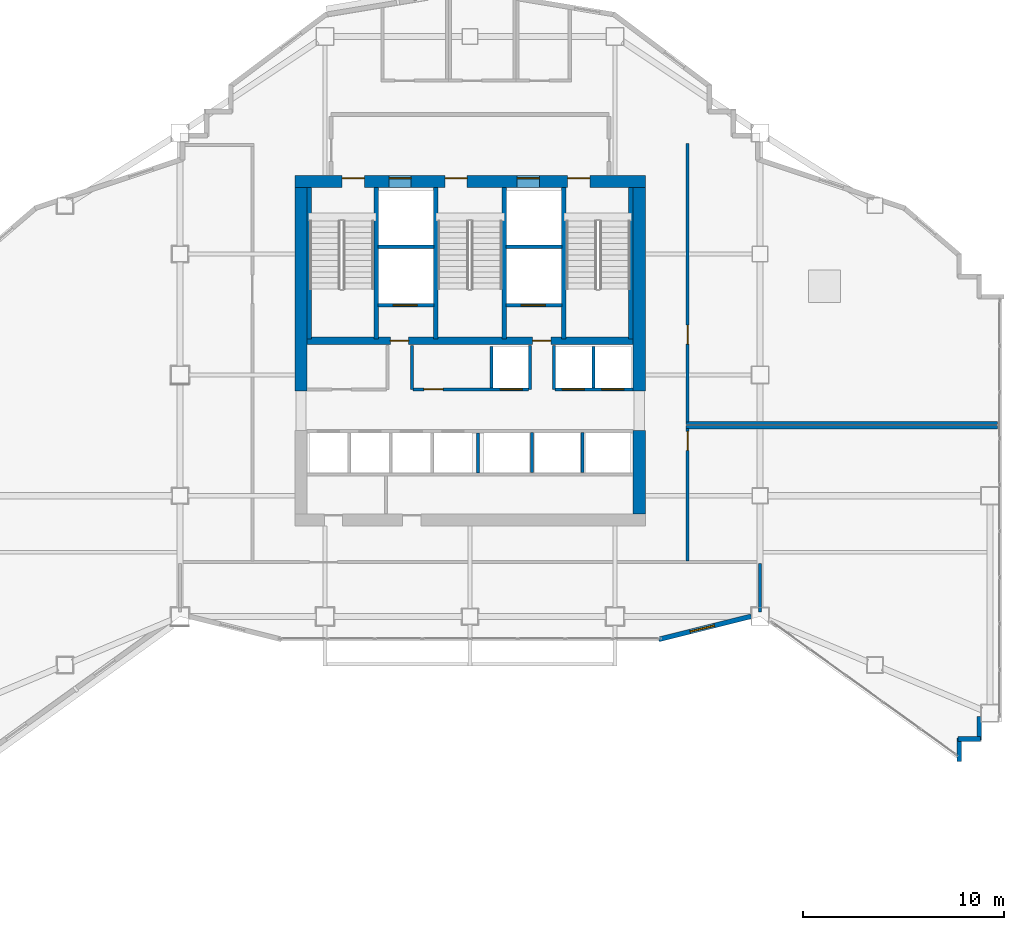
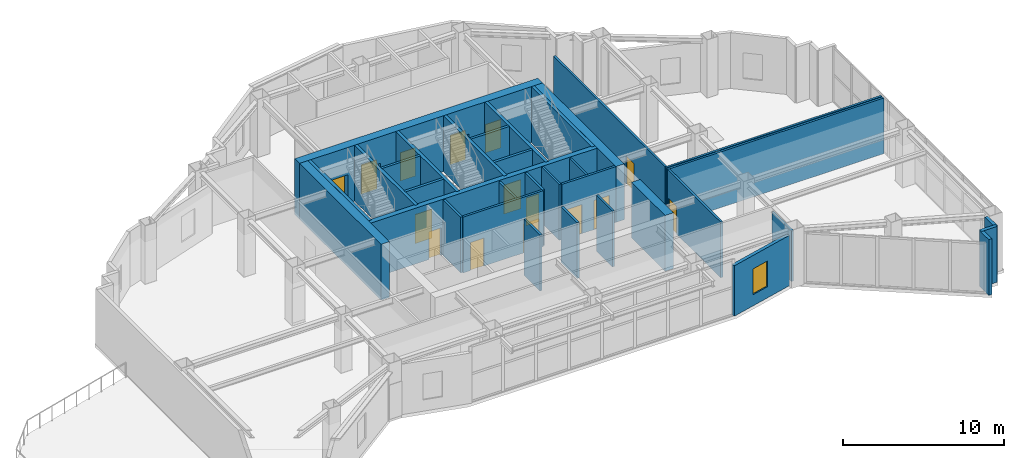
# One storey, part 10 of 16: 34 walls, 15 doors, 1 window, 16 openings.
"""IFC4 building model written with IfcOpenShell, lengths in metres."""

from ifc_helpers import new_model, si_unit, direction, frame, frame_2d, origin, place, context, subcontext, project, spatial, rectangle, extrude, material, layer, layer_set, type_object, element, fill, save


model = new_model("IFC4")

# Units and contexts
model_context = context("Model", 3, precision=1e-05, world=origin(), true_north=direction((0.0, 1.0)))
body_context = subcontext(model_context, "Body", "Model", "MODEL_VIEW")
ifc_project = project(units=[si_unit("LENGTHUNIT", "METRE"), si_unit("AREAUNIT", "SQUARE_METRE"), si_unit("VOLUMEUNIT", "CUBIC_METRE"), si_unit("PLANEANGLEUNIT", "RADIAN"), si_unit("MASSUNIT", "GRAM", prefix="KILO")], contexts=[model_context])

# Site, building, storey
site_placement = place(None, origin())
site = spatial("IfcSite", under=ifc_project, at=site_placement, CompositionType="ELEMENT")
building_placement = place(site_placement, origin())
building = spatial("IfcBuilding", under=site, at=building_placement, Name="Haolan Belvedere Tower", CompositionType="ELEMENT")
storey_placement = place(building_placement, frame((0.0, 0.0, 164.60009765625)))
storey = spatial("IfcBuildingStorey", under=building, at=storey_placement, Name="L41", CompositionType="ELEMENT", Elevation=164.60009765625)

# Wall, openings, doors
ifc_material_1 = material(Name="Concrete C60/75", Category="concrete")
ifc_layer_1 = layer(ifc_material_1, 0.60009765625, Name="Concrete C60/75")
ifc_layer_set_1 = layer_set([ifc_layer_1], Name="Concrete C60/75")
wall_type_1 = type_object("IfcWallType", Name="WL-CORE-600", PredefinedType="SHEAR", material=ifc_layer_set_1)
wall_1_placement = place(storey_placement, frame((29.699951171875, 43.199951171875, 0.0), z_axis=(0.0, 0.0, 1.0), x_axis=(1.0, 0.0, 0.0)))
wall_1 = element("IfcWall", 1, at=wall_1_placement, inside=storey, type_object=wall_type_1, Name="L41 central core north shear wall", PredefinedType="SHEAR", context=body_context, shape_type="SweptSolid", body=[
    extrude(rectangle(XDim=17.400146484375, YDim=0.60009765625, at=frame_2d((8.7001953125, 0.0))), origin(), (0.0, 0.0, 1.0), 4.219970703125),
])
opening_1_placement = place(wall_1_placement, frame((2.35009765625, 0.0, 0.0)))
opening_1 = element("IfcOpeningElement", 2, at=opening_1_placement, cuts=wall_1, Name="Opening FD-03", PredefinedType="OPENING", context=body_context, shape_type="SweptSolid", body=[
    extrude(rectangle(XDim=1.10009765625, YDim=2.14990234375, at=frame_2d((0.550048828125, 1.074951171875))), frame((0.0, 0.31005859375, 0.0), z_axis=(0.0, -1.0, 0.0), x_axis=(1.0, 0.0, 0.0)), (0.0, 0.0, 1.0), 0.6201171875),
])
opening_2_placement = place(wall_1_placement, frame((7.4599609375, 0.0, 0.0)))
opening_2 = element("IfcOpeningElement", 3, at=opening_2_placement, cuts=wall_1, Name="Opening FD-03", PredefinedType="OPENING", context=body_context, shape_type="SweptSolid", body=[
    extrude(rectangle(XDim=1.10009765625, YDim=2.14990234375, at=frame_2d((0.550048828125, 1.074951171875))), frame((0.0, 0.31005859375, 0.0), z_axis=(0.0, -1.0, 0.0), x_axis=(1.0, 0.0, 0.0)), (0.0, 0.0, 1.0), 0.6201171875),
])
opening_3_placement = place(wall_1_placement, frame((13.550048828125, 0.0, 0.0)))
opening_3 = element("IfcOpeningElement", 4, at=opening_3_placement, cuts=wall_1, Name="Opening FD-03", PredefinedType="OPENING", context=body_context, shape_type="SweptSolid", body=[
    extrude(rectangle(XDim=1.10009765625, YDim=2.14990234375, at=frame_2d((0.550048828125, 1.074951171875))), frame((0.0, 0.31005859375, 0.0), z_axis=(0.0, -1.0, 0.0), x_axis=(1.0, 0.0, 0.0)), (0.0, 0.0, 1.0), 0.6201171875),
])
opening_4_placement = place(wall_1_placement, frame((4.679931640625, 0.0, 0.0)))
opening_4 = element("IfcOpeningElement", 5, at=opening_4_placement, cuts=wall_1, Name="Opening LD-01", PredefinedType="OPENING", context=body_context, shape_type="SweptSolid", body=[
    extrude(rectangle(XDim=1.10009765625, YDim=2.199951171875, at=frame_2d((0.550048828125, 1.10009765625))), frame((0.0, 0.31005859375, 0.0), z_axis=(0.0, -1.0, 0.0), x_axis=(1.0, 0.0, 0.0)), (0.0, 0.0, 1.0), 0.6201171875),
])
opening_5_placement = place(wall_1_placement, frame((11.0400390625, 0.0, 0.0)))
opening_5 = element("IfcOpeningElement", 6, at=opening_5_placement, cuts=wall_1, Name="Opening LD-01", PredefinedType="OPENING", context=body_context, shape_type="SweptSolid", body=[
    extrude(rectangle(XDim=1.10009765625, YDim=2.199951171875, at=frame_2d((0.550048828125, 1.10009765625))), frame((0.0, 0.31005859375, 0.0), z_axis=(0.0, -1.0, 0.0), x_axis=(1.0, 0.0, 0.0)), (0.0, 0.0, 1.0), 0.6201171875),
])
ifc_material_2 = material(Name="Galvanised fire-rated steel", Category="steel")
door_type_1 = type_object("IfcDoorType", Name="DR-FD90-1100", OperationType="NOTDEFINED", PredefinedType="DOOR", material=ifc_material_2)
door_1_placement = place(opening_1_placement, origin())
door_1 = element("IfcDoor", 7, at=door_1_placement, inside=storey, type_object=door_type_1, Name="L41 door CD-L41-ST1", OperationType="SINGLE_SWING_LEFT", OverallHeight=2.14990234375, OverallWidth=1.10009765625, PredefinedType="DOOR", context=body_context, shape_type="SweptSolid", body=[
    extrude(rectangle(XDim=1.10009765625, YDim=2.14990234375, at=frame_2d((0.550048828125, 1.074951171875))), frame((0.0, 0.18505859375, 0.0), z_axis=(0.0, -1.0, 0.0), x_axis=(1.0, 0.0, 0.0)), (0.0, 0.0, 1.0), 0.050048828125),
])
fill(opening_1, door_1)
door_2_placement = place(opening_2_placement, origin())
door_2 = element("IfcDoor", 8, at=door_2_placement, inside=storey, type_object=door_type_1, Name="L41 door CD-L41-ST3", OperationType="SINGLE_SWING_LEFT", OverallHeight=2.14990234375, OverallWidth=1.10009765625, PredefinedType="DOOR", context=body_context, shape_type="SweptSolid", body=[
    extrude(rectangle(XDim=1.10009765625, YDim=2.14990234375, at=frame_2d((0.550048828125, 1.074951171875))), frame((0.0, 0.18505859375, 0.0), z_axis=(0.0, -1.0, 0.0), x_axis=(1.0, 0.0, 0.0)), (0.0, 0.0, 1.0), 0.050048828125),
])
fill(opening_2, door_2)
door_3_placement = place(opening_3_placement, origin())
door_3 = element("IfcDoor", 9, at=door_3_placement, inside=storey, type_object=door_type_1, Name="L41 door CD-L41-ST2", OperationType="SINGLE_SWING_RIGHT", OverallHeight=2.14990234375, OverallWidth=1.10009765625, PredefinedType="DOOR", context=body_context, shape_type="SweptSolid", body=[
    extrude(rectangle(XDim=1.10009765625, YDim=2.14990234375, at=frame_2d((0.550048828125, 1.074951171875))), frame((0.0, 0.18505859375, 0.0), z_axis=(0.0, -1.0, 0.0), x_axis=(1.0, 0.0, 0.0)), (0.0, 0.0, 1.0), 0.050048828125),
])
fill(opening_3, door_3)
ifc_material_3 = material(Name="Brushed champagne stainless steel 316L", Category="steel")
door_type_2 = type_object("IfcDoorType", Name="DR-LIFT-1100", OperationType="SLIDING_TO_LEFT", PredefinedType="DOOR", material=ifc_material_3)
door_4_placement = place(opening_4_placement, origin())
door_4 = element("IfcDoor", 10, at=door_4_placement, inside=storey, type_object=door_type_2, Name="L41 door LD-L41-FF1", OperationType="SLIDING_TO_LEFT", OverallHeight=2.199951171875, OverallWidth=1.10009765625, PredefinedType="DOOR", context=body_context, shape_type="SweptSolid", body=[
    extrude(rectangle(XDim=1.10009765625, YDim=2.199951171875, at=frame_2d((0.550048828125, 1.10009765625))), frame((0.0, 0.18505859375, 0.0), z_axis=(0.0, -1.0, 0.0), x_axis=(1.0, 0.0, 0.0)), (0.0, 0.0, 1.0), 0.050048828125),
])
fill(opening_4, door_4)
door_5_placement = place(opening_5_placement, origin())
door_5 = element("IfcDoor", 11, at=door_5_placement, inside=storey, type_object=door_type_2, Name="L41 door LD-L41-FF2", OperationType="SLIDING_TO_LEFT", OverallHeight=2.199951171875, OverallWidth=1.10009765625, PredefinedType="DOOR", context=body_context, shape_type="SweptSolid", body=[
    extrude(rectangle(XDim=1.10009765625, YDim=2.199951171875, at=frame_2d((0.550048828125, 1.10009765625))), frame((0.0, 0.18505859375, 0.0), z_axis=(0.0, -1.0, 0.0), x_axis=(1.0, 0.0, 0.0)), (0.0, 0.0, 1.0), 0.050048828125),
])
fill(opening_5, door_5)

# Walls
wall_2_placement = place(storey_placement, frame((30.0, 32.800048828125, 0.0), z_axis=(0.0, 0.0, 1.0), x_axis=(0.0, 1.0, 0.0)))
element("IfcWall", 12, at=wall_2_placement, inside=storey, type_object=wall_type_1, Name="L41 central core shear wall WN", PredefinedType="SHEAR", context=body_context, shape_type="SweptSolid", body=[
    extrude(rectangle(XDim=10.099853515625, YDim=0.60009765625, at=frame_2d((5.0498046875, 0.0))), origin(), (0.0, 0.0, 1.0), 4.219970703125),
])
wall_3_placement = place(storey_placement, frame((46.800048828125, 26.699951171875, 0.0), z_axis=(0.0, 0.0, 1.0), x_axis=(0.0, 1.0, 0.0)))
element("IfcWall", 13, at=wall_3_placement, inside=storey, type_object=wall_type_1, Name="L41 central core shear wall ES", PredefinedType="SHEAR", context=body_context, shape_type="SweptSolid", body=[
    extrude(rectangle(XDim=4.150146484375, YDim=0.60009765625, at=frame_2d((2.0751953125, 0.0))), origin(), (0.0, 0.0, 1.0), 4.219970703125),
])
wall_4_placement = place(storey_placement, frame((46.800048828125, 32.800048828125, 0.0), z_axis=(0.0, 0.0, 1.0), x_axis=(0.0, 1.0, 0.0)))
element("IfcWall", 14, at=wall_4_placement, inside=storey, type_object=wall_type_1, Name="L41 central core shear wall EN", PredefinedType="SHEAR", context=body_context, shape_type="SweptSolid", body=[
    extrude(rectangle(XDim=10.099853515625, YDim=0.60009765625, at=frame_2d((5.0498046875, 0.0))), origin(), (0.0, 0.0, 1.0), 4.219970703125),
])

# Wall, opening, window
ifc_material_4 = material(Name="Precast concrete C40/50", Category="concrete")
ifc_layer_2 = layer(ifc_material_4, 0.239990234375, Name="Precast concrete C40/50")
ifc_layer_set_2 = layer_set([ifc_layer_2], Name="Precast concrete C40/50")
wall_type_2 = type_object("IfcWallType", Name="WL-EXT-240", PredefinedType="SOLIDWALL", material=ifc_layer_set_2)
wall_5_placement = place(storey_placement, frame((47.766845703125, 20.46533203125, 0.0), z_axis=(0.0, 0.0, 1.0), x_axis=(0.9701333955, 0.242572040715, 0.0)))
wall_5 = element("IfcWall", 15, at=wall_5_placement, inside=storey, type_object=wall_type_2, Name="L41 pale-metal exterior spandrel wall 2.1", PredefinedType="SOLIDWALL", context=body_context, shape_type="SweptSolid", body=[
    extrude(rectangle(XDim=4.732421875, YDim=0.239990234375, at=frame_2d((2.3662109375, 0.0))), origin(), (0.0, 0.0, 1.0), 3.81494140625),
])
opening_6_placement = place(wall_5_placement, frame((1.60009765625, 0.0, 0.85009765625)))
opening_6 = element("IfcOpeningElement", 16, at=opening_6_placement, cuts=wall_5, Name="Opening W-04", PredefinedType="OPENING", context=body_context, shape_type="SweptSolid", body=[
    extrude(rectangle(XDim=1.25, YDim=1.949951171875, at=frame_2d((0.625, 0.97509765625))), frame((0.0, 0.1298828125, 0.0), z_axis=(0.0, -1.0, 0.0), x_axis=(1.0, 0.0, 0.0)), (0.0, 0.0, 1.0), 0.260009765625),
])
ifc_material_5 = material(Name="Anodised aluminium 6063-T6 and Low-E glass", Category="aluminium")
window_type = type_object("IfcWindowType", Name="WN-DECO-Z4", PartitioningType="SINGLE_PANEL", PredefinedType="WINDOW", material=ifc_material_5)
window_placement = place(opening_6_placement, origin())
window = element("IfcWindow", 17, at=window_placement, inside=storey, type_object=window_type, Name="L41 Art Deco chevron window 1", OverallHeight=1.949951171875, OverallWidth=1.25, PartitioningType="SINGLE_PANEL", PredefinedType="WINDOW", context=body_context, shape_type="SweptSolid", body=[
    extrude(rectangle(XDim=1.25, YDim=1.949951171875, at=frame_2d((0.625, 0.97509765625))), frame((0.0, 0.030029296875, 0.0), z_axis=(0.0, -1.0, 0.0), x_axis=(1.0, 0.0, 0.0)), (0.0, 0.0, 1.0), 0.06005859375),
])
fill(opening_6, window)

# Walls
wall_6_placement = place(storey_placement, frame((62.679931640625, 14.4091796875, 0.0), z_axis=(0.0, 0.0, 1.0), x_axis=(0.0, 1.0, 0.0)))
element("IfcWall", 18, at=wall_6_placement, inside=storey, type_object=wall_type_2, Name="L41 pale-metal exterior spandrel wall 4.1", PredefinedType="SOLIDWALL", context=body_context, shape_type="SweptSolid", body=[
    extrude(rectangle(XDim=1.165771484375, YDim=0.239990234375, at=frame_2d((0.5830078125, 0.0))), origin(), (0.0, 0.0, 1.0), 4.219970703125),
])
wall_7_placement = place(storey_placement, frame((62.625, 15.52001953125, 0.0), z_axis=(0.0, 0.0, 1.0), x_axis=(1.0, 0.0, 0.0)))
element("IfcWall", 19, at=wall_7_placement, inside=storey, type_object=wall_type_2, Name="L41 pale-metal exterior spandrel wall 5.1", PredefinedType="SOLIDWALL", context=body_context, shape_type="SweptSolid", body=[
    extrude(rectangle(XDim=1.110107421875, YDim=0.239990234375, at=frame_2d((0.55517578125, 0.0))), origin(), (0.0, 0.0, 1.0), 4.219970703125),
])
wall_8_placement = place(storey_placement, frame((63.679931640625, 15.465087890625, 0.0), z_axis=(0.0, 0.0, 1.0), x_axis=(0.0, 1.0, 0.0)))
element("IfcWall", 20, at=wall_8_placement, inside=storey, type_object=wall_type_2, Name="L41 pale-metal exterior spandrel wall 6.1", PredefinedType="SOLIDWALL", context=body_context, shape_type="SweptSolid", body=[
    extrude(rectangle(XDim=1.1748046875, YDim=0.239990234375, at=frame_2d((0.58740234375, 0.0))), origin(), (0.0, 0.0, 1.0), 4.219970703125),
])
ifc_material_6 = material(Name="Double gypsum acoustic stud partition", Category="masonry")
ifc_layer_3 = layer(ifc_material_6, 0.14990234375, Name="Double gypsum acoustic stud partition")
ifc_layer_set_3 = layer_set([ifc_layer_3], Name="Double gypsum acoustic stud partition")
wall_type_3 = type_object("IfcWallType", Name="WL-PART-150", PredefinedType="PARTITIONING", material=ifc_layer_set_3)
wall_9_placement = place(storey_placement, frame((52.800048828125, 21.818603515625, 0.0), z_axis=(0.0, 0.0, 1.0), x_axis=(0.0, 1.0, 0.0)))
element("IfcWall", 21, at=wall_9_placement, inside=storey, type_object=wall_type_3, Name="L41 interior partition IW-L41-SKYL-E", PredefinedType="PARTITIONING", context=body_context, shape_type="SweptSolid", body=[
    extrude(rectangle(XDim=2.42138671875, YDim=0.14990234375, at=frame_2d((1.210693359375, 0.0))), origin(), (0.0, 0.0, 1.0), 3.81494140625),
])
wall_10_placement = place(storey_placement, frame((49.1201171875, 31.0, 0.0), z_axis=(0.0, 0.0, 1.0), x_axis=(1.0, 0.0, 0.0)))
element("IfcWall", 22, at=wall_10_placement, inside=storey, type_object=wall_type_3, Name="L41 interior partition IW-L41-LIB-N", PredefinedType="PARTITIONING", context=body_context, shape_type="SweptSolid", body=[
    extrude(rectangle(XDim=15.4677734375, YDim=0.14990234375, at=frame_2d((7.73388671875, 0.0))), origin(), (0.0, 0.0, 1.0), 4.219970703125),
])

# Wall, opening, door
wall_11_placement = place(storey_placement, frame((49.199951171875, 24.360107421875, 0.0), z_axis=(0.0, 0.0, 1.0), x_axis=(0.0, 1.0, 0.0)))
wall_11 = element("IfcWall", 23, at=wall_11_placement, inside=storey, type_object=wall_type_3, Name="L41 interior partition IW-L41-LIB-W", PredefinedType="PARTITIONING", context=body_context, shape_type="SweptSolid", body=[
    extrude(rectangle(XDim=6.579833984375, YDim=0.14990234375, at=frame_2d((3.2900390625, 0.0))), origin(), (0.0, 0.0, 1.0), 4.219970703125),
])
opening_7_placement = place(wall_11_placement, frame((5.489990234375, 0.0, 0.0)))
opening_7 = element("IfcOpeningElement", 24, at=opening_7_placement, cuts=wall_11, Name="Opening ID-03", PredefinedType="OPENING", context=body_context, shape_type="SweptSolid", body=[
    extrude(rectangle(XDim=0.949951171875, YDim=2.1201171875, at=frame_2d((0.47509765625, 1.06005859375))), frame((0.0, 0.0849609375, 0.0), z_axis=(0.0, -1.0, 0.0), x_axis=(1.0, 0.0, 0.0)), (0.0, 0.0, 1.0), 0.169921875),
])
ifc_material_7 = material(Name="Painted solid-core timber", Category="wood")
door_type_3 = type_object("IfcDoorType", Name="DR-INT-950", OperationType="NOTDEFINED", PredefinedType="DOOR", material=ifc_material_7)
door_6_placement = place(opening_7_placement, origin())
door_6 = element("IfcDoor", 25, at=door_6_placement, inside=storey, type_object=door_type_3, Name="L41 door ID-L41-LIB", OperationType="SINGLE_SWING_LEFT", OverallHeight=2.1201171875, OverallWidth=0.949951171875, PredefinedType="DOOR", context=body_context, shape_type="SweptSolid", body=[
    extrude(rectangle(XDim=0.949951171875, YDim=2.1201171875, at=frame_2d((0.47509765625, 1.06005859375))), frame((0.0, 0.02490234375, 0.0), z_axis=(0.0, -1.0, 0.0), x_axis=(1.0, 0.0, 0.0)), (0.0, 0.0, 1.0), 0.050048828125),
])
fill(opening_7, door_6)

# Wall
wall_12_placement = place(storey_placement, frame((49.1201171875, 31.199951171875, 0.0), z_axis=(0.0, 0.0, 1.0), x_axis=(1.0, 0.0, 0.0)))
element("IfcWall", 26, at=wall_12_placement, inside=storey, type_object=wall_type_3, Name="L41 interior partition IW-L41-BIZ-S", PredefinedType="PARTITIONING", context=body_context, shape_type="SweptSolid", body=[
    extrude(rectangle(XDim=15.4677734375, YDim=0.14990234375, at=frame_2d((7.73388671875, 0.0))), origin(), (0.0, 0.0, 1.0), 4.219970703125),
])

# Wall, opening, door
wall_13_placement = place(storey_placement, frame((49.199951171875, 31.260009765625, 0.0), z_axis=(0.0, 0.0, 1.0), x_axis=(0.0, 1.0, 0.0)))
wall_13 = element("IfcWall", 27, at=wall_13_placement, inside=storey, type_object=wall_type_3, Name="L41 interior partition IW-L41-BIZ-W", PredefinedType="PARTITIONING", context=body_context, shape_type="SweptSolid", body=[
    extrude(rectangle(XDim=13.820068359375, YDim=0.14990234375, at=frame_2d((6.91015625, 0.0))), origin(), (0.0, 0.0, 1.0), 4.219970703125),
])
opening_8_placement = place(wall_13_placement, frame((3.860107421875, 0.0, 0.0)))
opening_8 = element("IfcOpeningElement", 28, at=opening_8_placement, cuts=wall_13, Name="Opening ID-03", PredefinedType="OPENING", context=body_context, shape_type="SweptSolid", body=[
    extrude(rectangle(XDim=0.949951171875, YDim=2.1201171875, at=frame_2d((0.47509765625, 1.06005859375))), frame((0.0, 0.0849609375, 0.0), z_axis=(0.0, -1.0, 0.0), x_axis=(1.0, 0.0, 0.0)), (0.0, 0.0, 1.0), 0.169921875),
])
door_7_placement = place(opening_8_placement, origin())
door_7 = element("IfcDoor", 29, at=door_7_placement, inside=storey, type_object=door_type_3, Name="L41 door ID-L41-BIZ", OperationType="SINGLE_SWING_RIGHT", OverallHeight=2.1201171875, OverallWidth=0.949951171875, PredefinedType="DOOR", context=body_context, shape_type="SweptSolid", body=[
    extrude(rectangle(XDim=0.949951171875, YDim=2.1201171875, at=frame_2d((0.47509765625, 1.06005859375))), frame((0.0, 0.02490234375, 0.0), z_axis=(0.0, -1.0, 0.0), x_axis=(1.0, 0.0, 0.0)), (0.0, 0.0, 1.0), 0.050048828125),
])
fill(opening_8, door_7)

# Walls
ifc_material_8 = material(Name="Gypsum fire shaftwall assembly", Category="masonry")
ifc_layer_4 = layer(ifc_material_8, 0.1650390625, Name="Gypsum fire shaftwall assembly")
ifc_layer_set_4 = layer_set([ifc_layer_4], Name="Gypsum fire shaftwall assembly")
wall_type_4 = type_object("IfcWallType", Name="WL-SHAFT-160", PredefinedType="SOLIDWALL", material=ifc_layer_set_4)
for number, where, z_axis, x_axis, name in (
    (30, (35.510009765625, 32.8798828125, 0.0), (0.0, 0.0, 1.0), (0.0, 1.0, 0.0), "L41 interior partition IW-L41-SVP-E-SV1"),
    (31, (41.3701171875, 32.8798828125, 0.0), (0.0, 0.0, 1.0), (0.0, 1.0, 0.0), "L41 interior partition IW-L41-SVP-W-SV2"),
    (32, (42.570068359375, 32.8798828125, 0.0), (0.0, 0.0, 1.0), (0.0, 1.0, 0.0), "L41 interior partition IW-L41-SVP-E-SV2"),
):
    element("IfcWall", number, at=place(storey_placement, frame(where, z_axis=z_axis, x_axis=x_axis)), inside=storey, type_object=wall_type_4, Name=name, PredefinedType="SOLIDWALL", context=body_context, shape_type="SweptSolid", body=[
        extrude(rectangle(XDim=2.170166015625, YDim=0.14990234375, at=frame_2d((1.0849609375, 0.0))), origin(), (0.0, 0.0, 1.0), 4.219970703125),
    ])

# Wall, openings, doors
wall_14_placement = place(storey_placement, frame((35.570068359375, 32.8798828125, 0.0), z_axis=(0.0, 0.0, 1.0), x_axis=(1.0, 0.0, 0.0)))
wall_14 = element("IfcWall", 33, at=wall_14_placement, inside=storey, type_object=wall_type_4, Name="L41 interior partition IW-L41-ROW-PN2", PredefinedType="SOLIDWALL", context=body_context, shape_type="SweptSolid", body=[
    extrude(rectangle(XDim=5.739990234375, YDim=0.159912109375, at=frame_2d((2.8701171875, 0.0))), origin(), (0.0, 0.0, 1.0), 4.219970703125),
])
opening_9_placement = place(wall_14_placement, frame((1.489990234375, 0.0, 0.0), z_axis=(0.0, 0.0, 1.0), x_axis=(-1.0, 0.0, 0.0)))
opening_9 = element("IfcOpeningElement", 34, at=opening_9_placement, cuts=wall_14, Name="Opening ID-03", PredefinedType="OPENING", context=body_context, shape_type="SweptSolid", body=[
    extrude(rectangle(XDim=0.949951171875, YDim=2.1201171875, at=frame_2d((0.47509765625, 1.06005859375))), frame((0.0, 0.08984375, 0.0), z_axis=(0.0, -1.0, 0.0), x_axis=(1.0, 0.0, 0.0)), (0.0, 0.0, 1.0), 0.179931640625),
])
opening_10_placement = place(wall_14_placement, frame((5.43017578125, 0.0, 0.0), z_axis=(0.0, 0.0, 1.0), x_axis=(-1.0, 0.0, 0.0)))
opening_10 = element("IfcOpeningElement", 35, at=opening_10_placement, cuts=wall_14, Name="Opening LD-01", PredefinedType="OPENING", context=body_context, shape_type="SweptSolid", body=[
    extrude(rectangle(XDim=1.10009765625, YDim=2.199951171875, at=frame_2d((0.550048828125, 1.10009765625))), frame((0.0, 0.08984375, 0.0), z_axis=(0.0, -1.0, 0.0), x_axis=(1.0, 0.0, 0.0)), (0.0, 0.0, 1.0), 0.179931640625),
])
door_8_placement = place(opening_9_placement, origin())
door_8 = element("IfcDoor", 36, at=door_8_placement, inside=storey, type_object=door_type_3, Name="L41 door ID-L41-CD-RPLE", OperationType="SINGLE_SWING_RIGHT", OverallHeight=2.1201171875, OverallWidth=0.949951171875, PredefinedType="DOOR", context=body_context, shape_type="SweptSolid", body=[
    extrude(rectangle(XDim=0.949951171875, YDim=2.1201171875, at=frame_2d((0.47509765625, 1.06005859375))), frame((0.0, 0.02490234375, 0.0), z_axis=(0.0, -1.0, 0.0), x_axis=(1.0, 0.0, 0.0)), (0.0, 0.0, 1.0), 0.050048828125),
])
fill(opening_9, door_8)
door_9_placement = place(opening_10_placement, origin())
door_9 = element("IfcDoor", 37, at=door_9_placement, inside=storey, type_object=door_type_2, Name="L41 door ID-L41-LD-PH1", OperationType="SLIDING_TO_RIGHT", OverallHeight=2.199951171875, OverallWidth=1.10009765625, PredefinedType="DOOR", context=body_context, shape_type="SweptSolid", body=[
    extrude(rectangle(XDim=1.10009765625, YDim=2.199951171875, at=frame_2d((0.550048828125, 1.10009765625))), frame((0.0, 0.02490234375, 0.0), z_axis=(0.0, -1.0, 0.0), x_axis=(1.0, 0.0, 0.0)), (0.0, 0.0, 1.0), 0.050048828125),
])
fill(opening_10, door_9)

wall_15_placement = place(storey_placement, frame((42.6298828125, 32.8798828125, 0.0), z_axis=(0.0, 0.0, 1.0), x_axis=(1.0, 0.0, 0.0)))
wall_15 = element("IfcWall", 38, at=wall_15_placement, inside=storey, type_object=wall_type_4, Name="L41 interior partition IW-L41-ROW-PN3", PredefinedType="SOLIDWALL", context=body_context, shape_type="SweptSolid", body=[
    extrude(rectangle(XDim=3.8701171875, YDim=0.159912109375, at=frame_2d((1.93505859375, 0.0))), origin(), (0.0, 0.0, 1.0), 4.219970703125),
])
opening_11_placement = place(wall_15_placement, frame((1.4501953125, 0.0, 0.0), z_axis=(0.0, 0.0, 1.0), x_axis=(-1.0, 0.0, 0.0)))
opening_11 = element("IfcOpeningElement", 39, at=opening_11_placement, cuts=wall_15, Name="Opening LD-01", PredefinedType="OPENING", context=body_context, shape_type="SweptSolid", body=[
    extrude(rectangle(XDim=1.10009765625, YDim=2.199951171875, at=frame_2d((0.550048828125, 1.10009765625))), frame((0.0, 0.08984375, 0.0), z_axis=(0.0, -1.0, 0.0), x_axis=(1.0, 0.0, 0.0)), (0.0, 0.0, 1.0), 0.179931640625),
])
opening_12_placement = place(wall_15_placement, frame((3.41015625, 0.0, 0.0), z_axis=(0.0, 0.0, 1.0), x_axis=(-1.0, 0.0, 0.0)))
opening_12 = element("IfcOpeningElement", 40, at=opening_12_placement, cuts=wall_15, Name="Opening LD-01", PredefinedType="OPENING", context=body_context, shape_type="SweptSolid", body=[
    extrude(rectangle(XDim=1.10009765625, YDim=2.199951171875, at=frame_2d((0.550048828125, 1.10009765625))), frame((0.0, 0.08984375, 0.0), z_axis=(0.0, -1.0, 0.0), x_axis=(1.0, 0.0, 0.0)), (0.0, 0.0, 1.0), 0.179931640625),
])
door_10_placement = place(opening_11_placement, origin())
door_10 = element("IfcDoor", 41, at=door_10_placement, inside=storey, type_object=door_type_2, Name="L41 door ID-L41-LD-PH2", OperationType="SLIDING_TO_RIGHT", OverallHeight=2.199951171875, OverallWidth=1.10009765625, PredefinedType="DOOR", context=body_context, shape_type="SweptSolid", body=[
    extrude(rectangle(XDim=1.10009765625, YDim=2.199951171875, at=frame_2d((0.550048828125, 1.10009765625))), frame((0.0, 0.02490234375, 0.0), z_axis=(0.0, -1.0, 0.0), x_axis=(1.0, 0.0, 0.0)), (0.0, 0.0, 1.0), 0.050048828125),
])
fill(opening_11, door_10)
door_11_placement = place(opening_12_placement, origin())
door_11 = element("IfcDoor", 42, at=door_11_placement, inside=storey, type_object=door_type_2, Name="L41 door ID-L41-LD-PH3", OperationType="SLIDING_TO_RIGHT", OverallHeight=2.199951171875, OverallWidth=1.10009765625, PredefinedType="DOOR", context=body_context, shape_type="SweptSolid", body=[
    extrude(rectangle(XDim=1.10009765625, YDim=2.199951171875, at=frame_2d((0.550048828125, 1.10009765625))), frame((0.0, 0.02490234375, 0.0), z_axis=(0.0, -1.0, 0.0), x_axis=(1.0, 0.0, 0.0)), (0.0, 0.0, 1.0), 0.050048828125),
])
fill(opening_12, door_11)

# Walls
for number, where, z_axis, x_axis, name in (
    (43, (39.469970703125, 32.949951171875, 0.0), (0.0, 0.0, 1.0), (0.0, 1.0, 0.0), "L41 interior partition IW-L41-DIV-PL4R"),
    (44, (44.530029296875, 32.949951171875, 0.0), (0.0, 0.0, 1.0), (0.0, 1.0, 0.0), "L41 interior partition IW-L41-DIV-PH2"),
):
    element("IfcWall", number, at=place(storey_placement, frame(where, z_axis=z_axis, x_axis=x_axis)), inside=storey, type_object=wall_type_4, Name=name, PredefinedType="SOLIDWALL", context=body_context, shape_type="SweptSolid", body=[
        extrude(rectangle(XDim=2.050048828125, YDim=0.14990234375, at=frame_2d((1.02490234375, 0.0))), origin(), (0.0, 0.0, 1.0), 4.219970703125),
    ])
wall_16_placement = place(storey_placement, frame((38.800048828125, 28.735107421875, 0.0), z_axis=(0.0, 0.0, 1.0), x_axis=(0.0, 1.0, 0.0)))
element("IfcWall", 45, at=wall_16_placement, inside=storey, type_object=wall_type_4, Name="L41 interior partition IW-L41-DIV-PM4", PredefinedType="SOLIDWALL", context=body_context, shape_type="SweptSolid", body=[
    extrude(rectangle(XDim=1.98486328125, YDim=0.14990234375, at=frame_2d((0.992431640625, 0.0))), origin(), (0.0, 0.0, 1.0), 4.219970703125),
])
for number, where, z_axis, x_axis, name in (
    (46, (41.469970703125, 28.75, 0.0), (0.0, 0.0, 1.0), (0.0, 1.0, 0.0), "L41 interior partition IW-L41-DIV-OB1"),
    (47, (43.97998046875, 28.75, 0.0), (0.0, 0.0, 1.0), (0.0, 1.0, 0.0), "L41 interior partition IW-L41-DIV-OB2"),
):
    element("IfcWall", number, at=place(storey_placement, frame(where, z_axis=z_axis, x_axis=x_axis)), inside=storey, type_object=wall_type_4, Name=name, PredefinedType="SOLIDWALL", context=body_context, shape_type="SweptSolid", body=[
        extrude(rectangle(XDim=1.985107421875, YDim=0.14990234375, at=frame_2d((0.99267578125, 0.0))), origin(), (0.0, 0.0, 1.0), 4.219970703125),
    ])
ifc_layer_5 = layer(ifc_material_4, 0.179931640625, Name="Precast concrete C40/50")
ifc_layer_set_5 = layer_set([ifc_layer_5], Name="Precast concrete C40/50")
wall_type_5 = type_object("IfcWallType", Name="WL-SHAFT-180", PredefinedType="SOLIDWALL", material=ifc_layer_set_5)
for number, where, z_axis, x_axis, name in (
    (48, (33.8349609375, 39.949951171875, 0.0), (0.0, 0.0, 1.0), (1.0, 0.0, 0.0), "L41 interior partition IW-L41-FF1-S"),
    (49, (40.195068359375, 39.949951171875, 0.0), (0.0, 0.0, 1.0), (1.0, 0.0, 0.0), "L41 interior partition IW-L41-FF2-S"),
):
    element("IfcWall", number, at=place(storey_placement, frame(where, z_axis=z_axis, x_axis=x_axis)), inside=storey, type_object=wall_type_5, Name=name, PredefinedType="SOLIDWALL", context=body_context, shape_type="SweptSolid", body=[
        extrude(rectangle(XDim=2.77001953125, YDim=0.179931640625, at=frame_2d((1.385009765625, 0.0))), origin(), (0.0, 0.0, 1.0), 4.219970703125),
    ])

# Wall, opening, door
wall_17_placement = place(storey_placement, frame((33.8349609375, 37.050048828125, 0.0), z_axis=(0.0, 0.0, 1.0), x_axis=(1.0, 0.0, 0.0)))
wall_17 = element("IfcWall", 50, at=wall_17_placement, inside=storey, type_object=wall_type_5, Name="L41 interior partition IW-L41-SV1-S", PredefinedType="SOLIDWALL", context=body_context, shape_type="SweptSolid", body=[
    extrude(rectangle(XDim=2.77001953125, YDim=0.179931640625, at=frame_2d((1.385009765625, 0.0))), origin(), (0.0, 0.0, 1.0), 4.219970703125),
])
opening_13_placement = place(wall_17_placement, frame((1.945068359375, 0.0, 0.0), z_axis=(0.0, 0.0, 1.0), x_axis=(-1.0, 0.0, 0.0)))
opening_13 = element("IfcOpeningElement", 51, at=opening_13_placement, cuts=wall_17, Name="Opening LD-02", PredefinedType="OPENING", context=body_context, shape_type="SweptSolid", body=[
    extrude(rectangle(XDim=1.199951171875, YDim=2.199951171875, at=frame_2d((0.60009765625, 1.10009765625))), frame((0.0, 0.099853515625, 0.0), z_axis=(0.0, -1.0, 0.0), x_axis=(1.0, 0.0, 0.0)), (0.0, 0.0, 1.0), 0.199951171875),
])
door_type_4 = type_object("IfcDoorType", Name="DR-LIFT-1200", OperationType="SLIDING_TO_RIGHT", PredefinedType="DOOR", material=ifc_material_3)
door_12_placement = place(opening_13_placement, origin())
door_12 = element("IfcDoor", 52, at=door_12_placement, inside=storey, type_object=door_type_4, Name="L41 door ID-L41-LD-SV1", OperationType="SLIDING_TO_RIGHT", OverallHeight=2.199951171875, OverallWidth=1.199951171875, PredefinedType="DOOR", context=body_context, shape_type="SweptSolid", body=[
    extrude(rectangle(XDim=1.199951171875, YDim=2.199951171875, at=frame_2d((0.60009765625, 1.10009765625))), frame((0.0, 0.02490234375, 0.0), z_axis=(0.0, -1.0, 0.0), x_axis=(1.0, 0.0, 0.0)), (0.0, 0.0, 1.0), 0.050048828125),
])
fill(opening_13, door_12)

wall_18_placement = place(storey_placement, frame((40.195068359375, 37.050048828125, 0.0), z_axis=(0.0, 0.0, 1.0), x_axis=(1.0, 0.0, 0.0)))
wall_18 = element("IfcWall", 53, at=wall_18_placement, inside=storey, type_object=wall_type_5, Name="L41 interior partition IW-L41-SV2-S", PredefinedType="SOLIDWALL", context=body_context, shape_type="SweptSolid", body=[
    extrude(rectangle(XDim=2.77001953125, YDim=0.179931640625, at=frame_2d((1.385009765625, 0.0))), origin(), (0.0, 0.0, 1.0), 4.219970703125),
])
opening_14_placement = place(wall_18_placement, frame((1.945068359375, 0.0, 0.0), z_axis=(0.0, 0.0, 1.0), x_axis=(-1.0, 0.0, 0.0)))
opening_14 = element("IfcOpeningElement", 54, at=opening_14_placement, cuts=wall_18, Name="Opening LD-02", PredefinedType="OPENING", context=body_context, shape_type="SweptSolid", body=[
    extrude(rectangle(XDim=1.199951171875, YDim=2.199951171875, at=frame_2d((0.60009765625, 1.10009765625))), frame((0.0, 0.099853515625, 0.0), z_axis=(0.0, -1.0, 0.0), x_axis=(1.0, 0.0, 0.0)), (0.0, 0.0, 1.0), 0.199951171875),
])
door_13_placement = place(opening_14_placement, origin())
door_13 = element("IfcDoor", 55, at=door_13_placement, inside=storey, type_object=door_type_4, Name="L41 door ID-L41-LD-SV2", OperationType="SLIDING_TO_RIGHT", OverallHeight=2.199951171875, OverallWidth=1.199951171875, PredefinedType="DOOR", context=body_context, shape_type="SweptSolid", body=[
    extrude(rectangle(XDim=1.199951171875, YDim=2.199951171875, at=frame_2d((0.60009765625, 1.10009765625))), frame((0.0, 0.02490234375, 0.0), z_axis=(0.0, -1.0, 0.0), x_axis=(1.0, 0.0, 0.0)), (0.0, 0.0, 1.0), 0.050048828125),
])
fill(opening_14, door_13)

# Walls
ifc_material_9 = material(Name="Concrete C50/60", Category="concrete")
ifc_layer_6 = layer(ifc_material_9, 0.219970703125, Name="Concrete C50/60")
ifc_layer_set_6 = layer_set([ifc_layer_6], Name="Concrete C50/60")
wall_type_6 = type_object("IfcWallType", Name="WL-STAIR-220", PredefinedType="SHEAR", material=ifc_layer_set_6)
for number, where, z_axis, x_axis, name in (
    (56, (30.412109375, 35.389892578125, 0.0), (0.0, 0.0, 1.0), (0.0, 1.0, 0.0), "L41 structural stair core wall ST1W"),
    (57, (33.739990234375, 35.389892578125, 0.0), (0.0, 0.0, 1.0), (0.0, 1.0, 0.0), "L41 structural stair core wall ST1E"),
    (58, (36.699951171875, 35.389892578125, 0.0), (0.0, 0.0, 1.0), (0.0, 1.0, 0.0), "L41 structural stair core wall ST3W"),
    (59, (40.10009765625, 35.389892578125, 0.0), (0.0, 0.0, 1.0), (0.0, 1.0, 0.0), "L41 structural stair core wall ST3E"),
    (60, (43.06005859375, 35.389892578125, 0.0), (0.0, 0.0, 1.0), (0.0, 1.0, 0.0), "L41 structural stair core wall ST2W"),
    (61, (46.387939453125, 35.389892578125, 0.0), (0.0, 0.0, 1.0), (0.0, 1.0, 0.0), "L41 structural stair core wall ST2E"),
):
    element("IfcWall", number, at=place(storey_placement, frame(where, z_axis=z_axis, x_axis=x_axis)), inside=storey, type_object=wall_type_6, Name=name, PredefinedType="SHEAR", context=body_context, shape_type="SweptSolid", body=[
        extrude(rectangle(XDim=7.510009765625, YDim=0.219970703125, at=frame_2d((3.7548828125, 0.0))), origin(), (0.0, 0.0, 1.0), 4.219970703125),
    ])

# Wall, openings, doors
ifc_layer_7 = layer(ifc_material_1, 0.360107421875, Name="Concrete C60/75")
ifc_layer_set_7 = layer_set([ifc_layer_7], Name="Concrete C60/75")
wall_type_7 = type_object("IfcWallType", Name="WL-WEB-350", PredefinedType="SHEAR", material=ifc_layer_set_7)
wall_19_placement = place(storey_placement, frame((30.300048828125, 35.2900390625, 0.0), z_axis=(0.0, 0.0, 1.0), x_axis=(1.0, 0.0, 0.0)))
wall_19 = element("IfcWall", 62, at=wall_19_placement, inside=storey, type_object=wall_type_7, Name="L41 central core internal shear web", PredefinedType="SHEAR", context=body_context, shape_type="SweptSolid", body=[
    extrude(rectangle(XDim=16.199951171875, YDim=0.360107421875, at=frame_2d((8.10009765625, 0.0))), origin(), (0.0, 0.0, 1.0), 4.219970703125),
])
opening_15_placement = place(wall_19_placement, frame((5.0498046875, 0.0, 0.0), z_axis=(0.0, 0.0, 1.0), x_axis=(-1.0, 0.0, 0.0)))
opening_15 = element("IfcOpeningElement", 63, at=opening_15_placement, cuts=wall_19, Name="Opening FD-05", PredefinedType="OPENING", context=body_context, shape_type="SweptSolid", body=[
    extrude(rectangle(XDim=0.89990234375, YDim=2.10009765625, at=frame_2d((0.449951171875, 1.050048828125))), frame((0.0, 0.18994140625, 0.0), z_axis=(0.0, -1.0, 0.0), x_axis=(1.0, 0.0, 0.0)), (0.0, 0.0, 1.0), 0.380126953125),
])
opening_16_placement = place(wall_19_placement, frame((12.10986328125, 0.0, 0.0), z_axis=(0.0, 0.0, 1.0), x_axis=(-1.0, 0.0, 0.0)))
opening_16 = element("IfcOpeningElement", 64, at=opening_16_placement, cuts=wall_19, Name="Opening FD-05", PredefinedType="OPENING", context=body_context, shape_type="SweptSolid", body=[
    extrude(rectangle(XDim=0.89990234375, YDim=2.10009765625, at=frame_2d((0.449951171875, 1.050048828125))), frame((0.0, 0.18994140625, 0.0), z_axis=(0.0, -1.0, 0.0), x_axis=(1.0, 0.0, 0.0)), (0.0, 0.0, 1.0), 0.380126953125),
])
door_type_5 = type_object("IfcDoorType", Name="DR-FD60-900", OperationType="NOTDEFINED", PredefinedType="DOOR", material=ifc_material_2)
door_14_placement = place(opening_15_placement, origin())
door_14 = element("IfcDoor", 65, at=door_14_placement, inside=storey, type_object=door_type_5, Name="L41 door CD-L41-SVL-SV1", OperationType="SINGLE_SWING_RIGHT", OverallHeight=2.10009765625, OverallWidth=0.89990234375, PredefinedType="DOOR", context=body_context, shape_type="SweptSolid", body=[
    extrude(rectangle(XDim=0.89990234375, YDim=2.10009765625, at=frame_2d((0.449951171875, 1.050048828125))), frame((0.0, 0.02490234375, 0.0), z_axis=(0.0, -1.0, 0.0), x_axis=(1.0, 0.0, 0.0)), (0.0, 0.0, 1.0), 0.050048828125),
])
fill(opening_15, door_14)
door_15_placement = place(opening_16_placement, origin())
door_15 = element("IfcDoor", 66, at=door_15_placement, inside=storey, type_object=door_type_5, Name="L41 door CD-L41-SVL-SV2", OperationType="SINGLE_SWING_RIGHT", OverallHeight=2.10009765625, OverallWidth=0.89990234375, PredefinedType="DOOR", context=body_context, shape_type="SweptSolid", body=[
    extrude(rectangle(XDim=0.89990234375, YDim=2.10009765625, at=frame_2d((0.449951171875, 1.050048828125))), frame((0.0, 0.02490234375, 0.0), z_axis=(0.0, -1.0, 0.0), x_axis=(1.0, 0.0, 0.0)), (0.0, 0.0, 1.0), 0.050048828125),
])
fill(opening_16, door_15)

save(model, "model.ifc")
